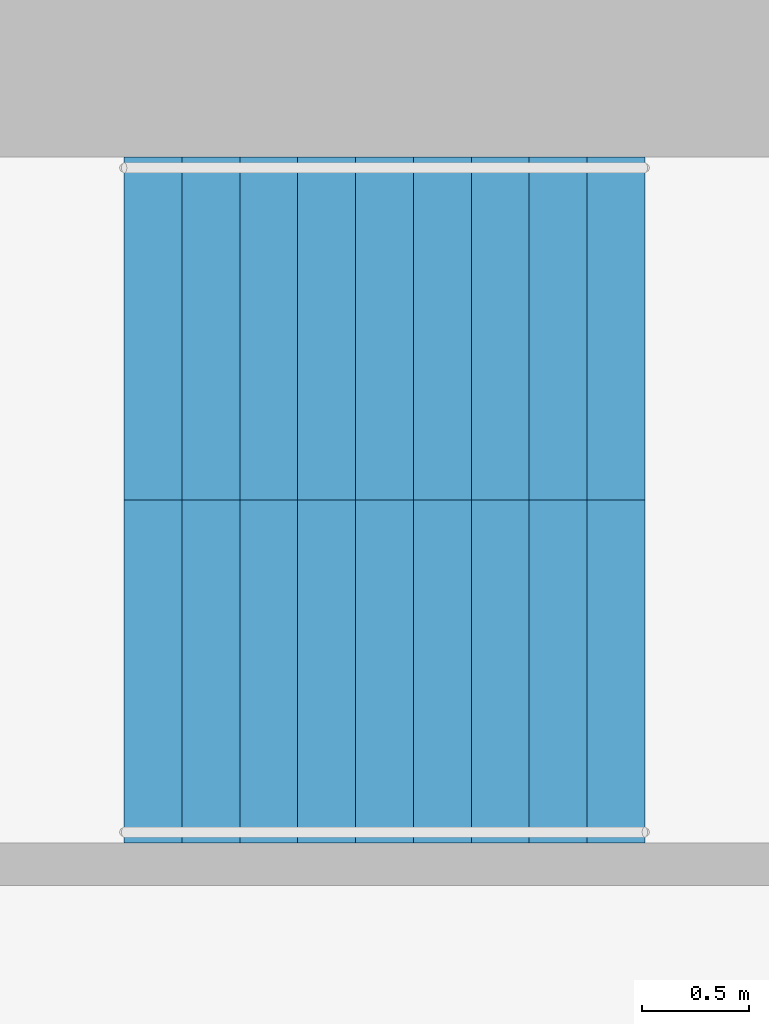
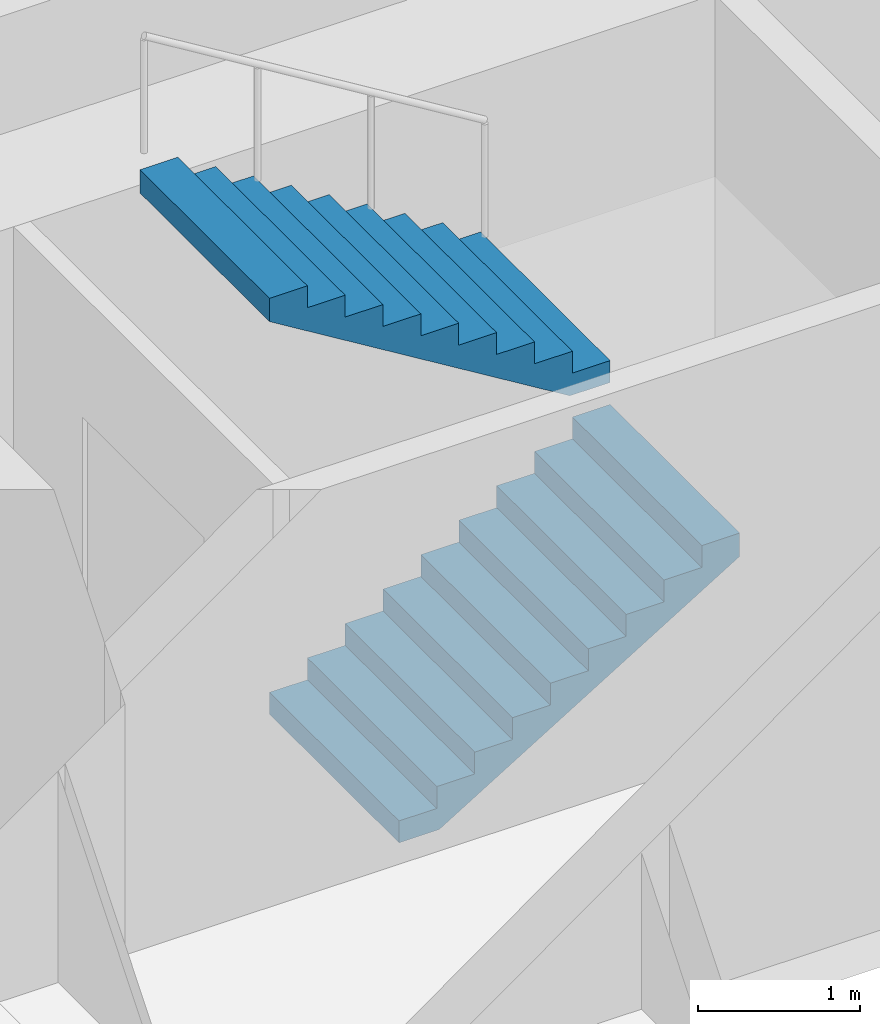
# One storey, part 10 of 13: 2 stair flights, 1 element without a shape of its own.
"""IFC4 building model written with IfcOpenShell, lengths in metres."""

from ifc_helpers import new_model, si_unit, direction, frame, origin, place, context, subcontext, project, spatial, polyline, outline, extrude, material, type_object, element, aggregate, save


model = new_model("IFC4")

# Units and contexts
model_context = context("Model", 3, precision=1e-05, world=origin(), true_north=direction((0.0, 1.0)))
body_context = subcontext(model_context, "Body", "Model", "MODEL_VIEW")
ifc_project = project(units=[si_unit("LENGTHUNIT", "METRE"), si_unit("AREAUNIT", "SQUARE_METRE"), si_unit("VOLUMEUNIT", "CUBIC_METRE"), si_unit("PLANEANGLEUNIT", "RADIAN"), si_unit("MASSUNIT", "GRAM", prefix="KILO")], contexts=[model_context])

# Site, building, storey
site_placement = place(None, origin())
site = spatial("IfcSite", under=ifc_project, at=site_placement, CompositionType="ELEMENT")
building_placement = place(site_placement, origin())
building = spatial("IfcBuilding", under=site, at=building_placement, Name="Taillehof Tower", CompositionType="ELEMENT")
storey_placement = place(building_placement, frame((0.0, 0.0, 51.39990234375)))
storey = spatial("IfcBuildingStorey", under=building, at=storey_placement, Name="L13", CompositionType="ELEMENT", Elevation=51.39990234375)

# Stair, stair flights
ifc_material_1 = material(Name="Concrete C40/50", Category="concrete")
stair_type = type_object("IfcStairType", Name="Exit stair half-turn", PredefinedType="HALF_TURN_STAIR", material=ifc_material_1)
stair_placement = place(storey_placement, origin())
stair = element("IfcStair", 1, at=stair_placement, inside=storey, type_object=stair_type, Name="Exit stair S1", PredefinedType="HALF_TURN_STAIR")
ifc_material_2 = material(Name="Concrete C40/50", Category="concrete")
stair_flight_type = type_object("IfcStairFlightType", Name="Stair flight 1600 riser 165.0 going 270", PredefinedType="STRAIGHT", material=ifc_material_2)
stair_flight_1_placement = place(storey_placement, frame((7.0, 6.699951171875, 0.0), z_axis=(0.0, 0.0, 1.0), x_axis=(1.0, 0.0, 0.0)))
stair_flight_1 = element("IfcStairFlight", 2, at=stair_flight_1_placement, type_object=stair_flight_type, Name="S1 flight 1", NumberOfRisers=10, NumberOfTreads=9, PredefinedType="STRAIGHT", RiserHeight=0.165, TreadLength=0.27, context=body_context, shape_type="SweptSolid", body=[
    extrude(outline(polyline([(0.0, 0.0), (0.0, 0.00537109375), (0.0, 0.0107421875), (0.0, 0.015869140625), (0.0, 0.021240234375), (0.0, 0.026611328125), (0.0, 0.031982421875), (0.0, 0.037353515625), (0.0, 0.04248046875), (0.0, 0.0478515625), (0.0, 0.05322265625), (0.0, 0.05859375), (0.0, 0.06396484375), (0.0, 0.069091796875), (0.0, 0.074462890625), (0.0, 0.079833984375), (0.0, 0.085205078125), (0.0, 0.090576171875), (0.0, 0.095703125), (0.0, 0.10107421875), (0.0, 0.1064453125), (0.0, 0.11181640625), (0.0, 0.1171875), (0.0, 0.122314453125), (0.0, 0.127685546875), (0.0, 0.133056640625), (0.0, 0.138427734375), (0.0, 0.143798828125), (0.0, 0.14892578125), (0.0, 0.154296875), (0.0, 0.15966796875), (0.0, 0.1650390625), (0.27001953125, 0.1650390625), (0.27001953125, 0.330078125), (0.5400390625, 0.330078125), (0.5400390625, 0.4951171875), (0.81005859375, 0.4951171875), (0.81005859375, 0.659912109375), (1.080078125, 0.659912109375), (1.080078125, 0.824951171875), (1.35009765625, 0.824951171875), (1.35009765625, 0.989990234375), (1.6201171875, 0.989990234375), (1.6201171875, 1.155029296875), (1.889892578125, 1.155029296875), (1.889892578125, 1.320068359375), (2.159912109375, 1.320068359375), (2.159912109375, 1.485107421875), (2.429931640625, 1.485107421875), (2.429931640625, 1.479248046875), (2.429931640625, 1.4736328125), (2.429931640625, 1.468017578125), (2.429931640625, 1.46240234375), (2.429931640625, 1.45654296875), (2.429931640625, 1.450927734375), (2.429931640625, 1.4453125), (2.429931640625, 1.439697265625), (2.429931640625, 1.43408203125), (2.429931640625, 1.42822265625), (2.429931640625, 1.422607421875), (2.429931640625, 1.4169921875), (2.429931640625, 1.411376953125), (2.429931640625, 1.40576171875), (2.429931640625, 1.39990234375), (2.429931640625, 1.394287109375), (2.429931640625, 1.388671875), (2.429931640625, 1.383056640625), (2.429931640625, 1.37744140625), (2.429931640625, 1.37158203125), (2.429931640625, 1.365966796875), (2.429931640625, 1.3603515625), (2.429931640625, 1.354736328125), (2.429931640625, 1.348876953125), (2.429931640625, 1.34326171875), (2.429931640625, 1.337646484375), (2.429931640625, 1.33203125), (2.429931640625, 1.326416015625), (2.429931640625, 1.320556640625), (2.429931640625, 1.31494140625), (2.429931640625, 1.309326171875), (0.287353515625, 0.0), (0.0, 0.0)])), frame((0.0, 0.800048828125, 0.0), z_axis=(0.0, -1.0, 0.0), x_axis=(1.0, 0.0, 0.0)), (0.0, 0.0, 1.0), 1.6),
])
stair_flight_2_placement = place(storey_placement, frame((9.429931640625, 8.300048828125, 1.650146484375), z_axis=(0.0, 0.0, 1.0), x_axis=(-1.0, 0.0, 0.0)))
stair_flight_2 = element("IfcStairFlight", 3, at=stair_flight_2_placement, type_object=stair_flight_type, Name="S1 flight 2", NumberOfRisers=10, NumberOfTreads=9, PredefinedType="STRAIGHT", RiserHeight=0.165, TreadLength=0.27, context=body_context, shape_type="SweptSolid", body=[
    extrude(outline(polyline([(0.0, 0.0), (0.0, 0.00537109375), (0.0, 0.0107421875), (0.0, 0.015869140625), (0.0, 0.021240234375), (0.0, 0.026611328125), (0.0, 0.031982421875), (0.0, 0.037353515625), (0.0, 0.04248046875), (0.0, 0.0478515625), (0.0, 0.05322265625), (0.0, 0.05859375), (0.0, 0.06396484375), (0.0, 0.069091796875), (0.0, 0.074462890625), (0.0, 0.079833984375), (0.0, 0.085205078125), (0.0, 0.090576171875), (0.0, 0.095703125), (0.0, 0.10107421875), (0.0, 0.1064453125), (0.0, 0.11181640625), (0.0, 0.1171875), (0.0, 0.122314453125), (0.0, 0.127685546875), (0.0, 0.133056640625), (0.0, 0.138427734375), (0.0, 0.143798828125), (0.0, 0.14892578125), (0.0, 0.154296875), (0.0, 0.15966796875), (0.0, 0.1650390625), (0.27001953125, 0.1650390625), (0.27001953125, 0.330078125), (0.5400390625, 0.330078125), (0.5400390625, 0.4951171875), (0.81005859375, 0.4951171875), (0.81005859375, 0.659912109375), (1.080078125, 0.659912109375), (1.080078125, 0.824951171875), (1.35009765625, 0.824951171875), (1.35009765625, 0.989990234375), (1.6201171875, 0.989990234375), (1.6201171875, 1.155029296875), (1.889892578125, 1.155029296875), (1.889892578125, 1.320068359375), (2.159912109375, 1.320068359375), (2.159912109375, 1.485107421875), (2.429931640625, 1.485107421875), (2.429931640625, 1.479248046875), (2.429931640625, 1.4736328125), (2.429931640625, 1.468017578125), (2.429931640625, 1.46240234375), (2.429931640625, 1.45654296875), (2.429931640625, 1.450927734375), (2.429931640625, 1.4453125), (2.429931640625, 1.439697265625), (2.429931640625, 1.43408203125), (2.429931640625, 1.42822265625), (2.429931640625, 1.422607421875), (2.429931640625, 1.4169921875), (2.429931640625, 1.411376953125), (2.429931640625, 1.40576171875), (2.429931640625, 1.39990234375), (2.429931640625, 1.394287109375), (2.429931640625, 1.388671875), (2.429931640625, 1.383056640625), (2.429931640625, 1.37744140625), (2.429931640625, 1.37158203125), (2.429931640625, 1.365966796875), (2.429931640625, 1.3603515625), (2.429931640625, 1.354736328125), (2.429931640625, 1.348876953125), (2.429931640625, 1.34326171875), (2.429931640625, 1.337646484375), (2.429931640625, 1.33203125), (2.429931640625, 1.326416015625), (2.429931640625, 1.320556640625), (2.429931640625, 1.31494140625), (2.429931640625, 1.309326171875), (0.287353515625, 0.0), (0.0, 0.0)])), frame((0.0, 0.800048828125, 0.0), z_axis=(0.0, -1.0, 0.0), x_axis=(1.0, 0.0, 0.0)), (0.0, 0.0, 1.0), 1.6),
])
aggregate(stair, [stair_flight_1, stair_flight_2])

save(model, "model.ifc")
